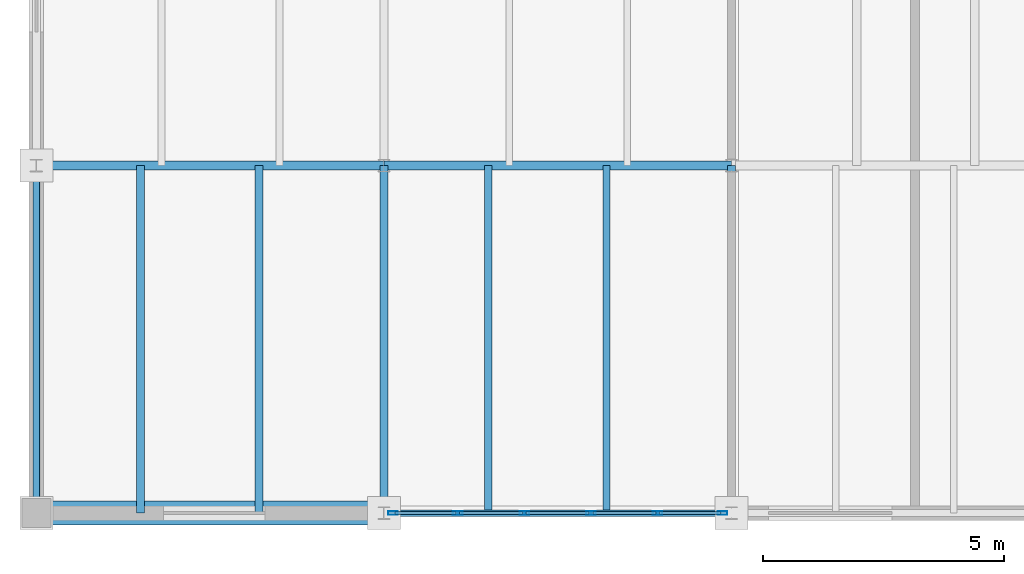
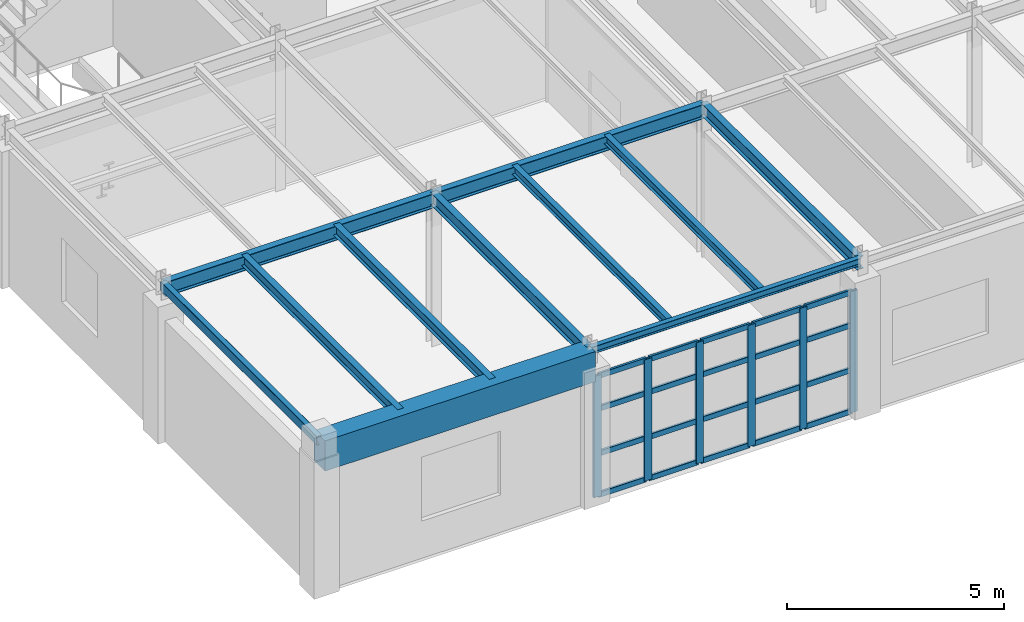
# One storey, part 8 of 36: 26 members, 11 beams, 1 element without a shape of its own.
"""IFC4 building model written with IfcOpenShell, lengths in metres."""

from ifc_helpers import new_model, si_unit, direction, frame, origin, origin_2d, place, context, subcontext, project, spatial, rectangle, hollow_rectangle, i_section, extrude, material, layer, layer_set, material_profile, profile_set, type_object, element, aggregate, save


model = new_model("IFC4")

# Units and contexts
model_context = context("Model", 3, precision=1e-05, world=origin(), true_north=direction((0.0, 1.0)))
body_context = subcontext(model_context, "Body", "Model", "MODEL_VIEW")
ifc_project = project(units=[si_unit("LENGTHUNIT", "METRE"), si_unit("AREAUNIT", "SQUARE_METRE"), si_unit("VOLUMEUNIT", "CUBIC_METRE"), si_unit("PLANEANGLEUNIT", "RADIAN"), si_unit("MASSUNIT", "GRAM", prefix="KILO")], contexts=[model_context])

# Site, building, storey
site_placement = place(None, origin())
site = spatial("IfcSite", under=ifc_project, at=site_placement, CompositionType="ELEMENT")
building_placement = place(site_placement, origin())
building = spatial("IfcBuilding", under=site, at=building_placement, Name="Kemerveld Promenade Tramway Depot", CompositionType="ELEMENT")
storey_placement = place(building_placement, frame((0.0, 0.0, 14.39990234375)))
storey = spatial("IfcBuildingStorey", under=building, at=storey_placement, Name="L03", CompositionType="ELEMENT", Elevation=14.39990234375)

# Beams
ifc_material_1 = material(Name="Steel S355", Category="steel")
ifc_material_profile_1 = material_profile(ifc_material_1, i_section(OverallWidth=0.1787109375, OverallDepth=0.409423828125, WebThickness=0.0087890625, FlangeThickness=0.014404296875, FilletRadius=0.01025390625, at=origin_2d()), Name="406x178x67 UB")
ifc_profile_set_1 = profile_set([ifc_material_profile_1], Name="Steel S355")
beam_type_1 = type_object("IfcBeamType", Name="BM-G07", PredefinedType="BEAM", material=ifc_profile_set_1)
for number, where, z_axis, x_axis, name in (
    (1, (0.0, 7.199951171875, 4.080322265625), (1.0, 0.0, 0.0), (0.0, 1.0, 0.0), "BMX-L03-01-02-B"),
    (2, (7.199951171875, 7.199951171875, 4.080322265625), (1.0, 0.0, 0.0), (0.0, 1.0, 0.0), "BMX-L03-02-03-B"),
):
    element("IfcBeam", number, at=place(storey_placement, frame(where, z_axis=z_axis, x_axis=x_axis)), inside=storey, type_object=beam_type_1, Name=name, PredefinedType="BEAM", context=body_context, shape_type="SweptSolid", body=[
        extrude(i_section(OverallWidth=0.1787109375, OverallDepth=0.409423828125, WebThickness=0.0087890625, FlangeThickness=0.014404296875, FilletRadius=0.01025390625, at=origin_2d()), origin(), (0.0, 0.0, 1.0), 7.199951171875),
    ])
ifc_material_profile_2 = material_profile(ifc_material_1, i_section(OverallWidth=0.172119140625, OverallDepth=0.35791015625, WebThickness=0.008056640625, FlangeThickness=0.012939453125, FilletRadius=0.01025390625, at=origin_2d()), Name="356x171x57 UB")
ifc_profile_set_2 = profile_set([ifc_material_profile_2], Name="Steel S355")
beam_type_2 = type_object("IfcBeamType", Name="BM-G08", PredefinedType="BEAM", material=ifc_profile_set_2)
for number, where, z_axis, x_axis, name in (
    (3, (7.199951171875, 0.0, 4.106201171875), (0.0, 1.0, 0.0), (-1.0, 0.0, 0.0), "BMY-L03-02-A-B"),
    (4, (14.39990234375, 0.0, 4.106201171875), (0.0, 1.0, 0.0), (-1.0, 0.0, 0.0), "BMY-L03-03-A-B"),
):
    element("IfcBeam", number, at=place(storey_placement, frame(where, z_axis=z_axis, x_axis=x_axis)), inside=storey, type_object=beam_type_2, Name=name, PredefinedType="BEAM", context=body_context, shape_type="SweptSolid", body=[
        extrude(i_section(OverallWidth=0.172119140625, OverallDepth=0.35791015625, WebThickness=0.008056640625, FlangeThickness=0.012939453125, FilletRadius=0.01025390625, at=origin_2d()), origin(), (0.0, 0.0, 1.0), 7.199951171875),
    ])
ifc_material_profile_3 = material_profile(ifc_material_1, i_section(OverallWidth=0.13330078125, OverallDepth=0.203125, WebThickness=0.005615234375, FlangeThickness=0.0078125, FilletRadius=0.007568359375, at=origin_2d()), Name="203x133x25 UB")
ifc_profile_set_3 = profile_set([ifc_material_profile_3], Name="Steel S355")
beam_type_3 = type_object("IfcBeamType", Name="BM-G14", PredefinedType="BEAM", material=ifc_profile_set_3)
beam_1_placement = place(storey_placement, frame((7.199951171875, 0.0, 4.18359375), z_axis=(1.0, 0.0, 0.0), x_axis=(0.0, 1.0, 0.0)))
element("IfcBeam", 5, at=beam_1_placement, inside=storey, type_object=beam_type_3, Name="BMX-L03-02-03-A", PredefinedType="BEAM", context=body_context, shape_type="SweptSolid", body=[
    extrude(i_section(OverallWidth=0.13330078125, OverallDepth=0.203125, WebThickness=0.005615234375, FlangeThickness=0.0078125, FilletRadius=0.007568359375, at=origin_2d()), origin(), (0.0, 0.0, 1.0), 7.199951171875),
])
ifc_material_profile_4 = material_profile(ifc_material_1, i_section(OverallWidth=0.165771484375, OverallDepth=0.306640625, WebThickness=0.006591796875, FlangeThickness=0.01171875, FilletRadius=0.0087890625, at=origin_2d()), Name="305x165x46 UB")
ifc_profile_set_4 = profile_set([ifc_material_profile_4], Name="Steel S355")
beam_type_4 = type_object("IfcBeamType", Name="BM-J01", PredefinedType="JOIST", material=ifc_profile_set_4)
for number, where, z_axis, x_axis, name in (
    (6, (2.159912109375, 0.0, 4.1318359375), (0.0, 1.0, 0.0), (-1.0, 0.0, 0.0), "JST-L03-01-A-1"),
    (7, (4.60791015625, 0.0, 4.1318359375), (0.0, 1.0, 0.0), (-1.0, 0.0, 0.0), "JST-L03-01-A-2"),
):
    element("IfcBeam", number, at=place(storey_placement, frame(where, z_axis=z_axis, x_axis=x_axis)), inside=storey, type_object=beam_type_4, Name=name, PredefinedType="JOIST", context=body_context, shape_type="SweptSolid", body=[
        extrude(i_section(OverallWidth=0.165771484375, OverallDepth=0.306640625, WebThickness=0.006591796875, FlangeThickness=0.01171875, FilletRadius=0.0087890625, at=origin_2d()), origin(), (0.0, 0.0, 1.0), 7.199951171875),
    ])
ifc_material_profile_5 = material_profile(ifc_material_1, i_section(OverallWidth=0.146484375, OverallDepth=0.256103515625, WebThickness=0.00634765625, FlangeThickness=0.010986328125, FilletRadius=0.007568359375, at=origin_2d()), Name="254x146x37 UB")
ifc_profile_set_5 = profile_set([ifc_material_profile_5], Name="Steel S355")
beam_type_5 = type_object("IfcBeamType", Name="BM-J02", PredefinedType="JOIST", material=ifc_profile_set_5)
for number, where, z_axis, x_axis, name in (
    (8, (9.360107421875, 0.0, 4.156982421875), (0.0, 1.0, 0.0), (-1.0, 0.0, 0.0), "JST-L03-02-A-1"),
    (9, (11.80810546875, 0.0, 4.156982421875), (0.0, 1.0, 0.0), (-1.0, 0.0, 0.0), "JST-L03-02-A-2"),
):
    element("IfcBeam", number, at=place(storey_placement, frame(where, z_axis=z_axis, x_axis=x_axis)), inside=storey, type_object=beam_type_5, Name=name, PredefinedType="JOIST", context=body_context, shape_type="SweptSolid", body=[
        extrude(i_section(OverallWidth=0.146484375, OverallDepth=0.256103515625, WebThickness=0.00634765625, FlangeThickness=0.010986328125, FilletRadius=0.007568359375, at=origin_2d()), origin(), (0.0, 0.0, 1.0), 7.199951171875),
    ])
ifc_material_2 = material(Name="Concrete C40/50", Category="concrete")
ifc_material_profile_6 = material_profile(ifc_material_2, rectangle(XDim=0.5, YDim=0.85009765625, at=origin_2d()), Name="RC-BM-500x850")
ifc_profile_set_6 = profile_set([ifc_material_profile_6], Name="Concrete C40/50")
beam_type_6 = type_object("IfcBeamType", Name="BM-RC7", PredefinedType="BEAM", material=ifc_profile_set_6)
beam_2_placement = place(storey_placement, frame((0.0, 0.0, 3.860107421875), z_axis=(1.0, 0.0, 0.0), x_axis=(0.0, 1.0, 0.0)))
element("IfcBeam", 10, at=beam_2_placement, inside=storey, type_object=beam_type_6, Name="BMX-L03-01-02-A", PredefinedType="BEAM", context=body_context, shape_type="SweptSolid", body=[
    extrude(rectangle(XDim=0.5, YDim=0.85009765625, at=origin_2d()), origin(), (0.0, 0.0, 1.0), 7.199951171875),
])
ifc_material_profile_7 = material_profile(ifc_material_1, hollow_rectangle(XDim=0.14990234375, YDim=0.25, WallThickness=0.010009765625, InnerFilletRadius=0.0048828125, OuterFilletRadius=0.014892578125, at=origin_2d()), Name="250x150x10.0 RHS")
ifc_profile_set_7 = profile_set([ifc_material_profile_7], Name="Steel S355")
beam_type_7 = type_object("IfcBeamType", Name="BM-SP2", PredefinedType="SPANDREL", material=ifc_profile_set_7)
beam_3_placement = place(storey_placement, frame((0.0, 0.0, 4.16015625), z_axis=(0.0, 1.0, 0.0), x_axis=(-1.0, 0.0, 0.0)))
element("IfcBeam", 11, at=beam_3_placement, inside=storey, type_object=beam_type_7, Name="BMY-L03-01-A-B", PredefinedType="SPANDREL", context=body_context, shape_type="SweptSolid", body=[
    extrude(hollow_rectangle(XDim=0.14990234375, YDim=0.25, WallThickness=0.010009765625, InnerFilletRadius=0.0048828125, OuterFilletRadius=0.014892578125, at=origin_2d()), origin(), (0.0, 0.0, 1.0), 7.199951171875),
])

# Curtain wall, members
ifc_material_3 = material(Name="Bronze anodised aluminium and solar glass", Category="aluminium")
ifc_layer = layer(ifc_material_3, 0.199951171875)
ifc_layer_set = layer_set([ifc_layer], Name="CW-SYS-08")
curtain_wall_type = type_object("IfcCurtainWallType", Name="CW-SYS-08", PredefinedType="USERDEFINED", material=ifc_layer_set)
curtain_wall_placement = place(storey_placement, origin())
curtain_wall = element("IfcCurtainWall", 12, at=curtain_wall_placement, inside=storey, type_object=curtain_wall_type, Name="CW-L03-V5S-05", ObjectType="GLAZED_CURTAIN_WALL", PredefinedType="USERDEFINED")
ifc_material_4 = material(Name="Bronze anodised aluminium", Category="aluminium")
ifc_material_profile_8 = material_profile(ifc_material_4, hollow_rectangle(XDim=0.074951171875, YDim=0.199951171875, WallThickness=0.0048828125, InnerFilletRadius=0.001953125, OuterFilletRadius=0.0048828125, at=origin_2d()), Name="CW-MUL-200x75")
ifc_profile_set_8 = profile_set([ifc_material_profile_8], Name="Bronze anodised aluminium")
member_type_1 = type_object("IfcMemberType", Name="CW-MUL-B", PredefinedType="MULLION", material=ifc_profile_set_8)
member_1_placement = place(storey_placement, frame((14.21240234375, 0.0, 0.0), z_axis=(0.0, 0.0, 1.0), x_axis=(0.0, -1.0, 0.0)))
member_1 = element("IfcMember", 13, at=member_1_placement, type_object=member_type_1, Name="CW08 mullion 1", PredefinedType="MULLION", context=body_context, shape_type="SweptSolid", body=[
    extrude(hollow_rectangle(XDim=0.074951171875, YDim=0.199951171875, WallThickness=0.0048828125, InnerFilletRadius=0.001953125, OuterFilletRadius=0.0048828125, at=origin_2d()), origin(), (0.0, 0.0, 1.0), 3.4150390625),
])
member_2_placement = place(storey_placement, frame((12.869873046875, 0.0, 0.0), z_axis=(0.0, 0.0, 1.0), x_axis=(0.0, -1.0, 0.0)))
member_2 = element("IfcMember", 14, at=member_2_placement, type_object=member_type_1, Name="CW08 mullion 2", PredefinedType="MULLION", context=body_context, shape_type="SweptSolid", body=[
    extrude(hollow_rectangle(XDim=0.074951171875, YDim=0.199951171875, WallThickness=0.0048828125, InnerFilletRadius=0.001953125, OuterFilletRadius=0.0048828125, at=origin_2d()), origin(), (0.0, 0.0, 1.0), 3.4150390625),
])
member_3_placement = place(storey_placement, frame((11.489990234375, 0.0, 0.0), z_axis=(0.0, 0.0, 1.0), x_axis=(0.0, -1.0, 0.0)))
member_3 = element("IfcMember", 15, at=member_3_placement, type_object=member_type_1, Name="CW08 mullion 3", PredefinedType="MULLION", context=body_context, shape_type="SweptSolid", body=[
    extrude(hollow_rectangle(XDim=0.074951171875, YDim=0.199951171875, WallThickness=0.0048828125, InnerFilletRadius=0.001953125, OuterFilletRadius=0.0048828125, at=origin_2d()), origin(), (0.0, 0.0, 1.0), 3.4150390625),
])
member_4_placement = place(storey_placement, frame((10.110107421875, 0.0, 0.0), z_axis=(0.0, 0.0, 1.0), x_axis=(0.0, -1.0, 0.0)))
member_4 = element("IfcMember", 16, at=member_4_placement, type_object=member_type_1, Name="CW08 mullion 4", PredefinedType="MULLION", context=body_context, shape_type="SweptSolid", body=[
    extrude(hollow_rectangle(XDim=0.074951171875, YDim=0.199951171875, WallThickness=0.0048828125, InnerFilletRadius=0.001953125, OuterFilletRadius=0.0048828125, at=origin_2d()), origin(), (0.0, 0.0, 1.0), 3.4150390625),
])
member_5_placement = place(storey_placement, frame((8.730224609375, 0.0, 0.0), z_axis=(0.0, 0.0, 1.0), x_axis=(0.0, -1.0, 0.0)))
member_5 = element("IfcMember", 17, at=member_5_placement, type_object=member_type_1, Name="CW08 mullion 5", PredefinedType="MULLION", context=body_context, shape_type="SweptSolid", body=[
    extrude(hollow_rectangle(XDim=0.074951171875, YDim=0.199951171875, WallThickness=0.0048828125, InnerFilletRadius=0.001953125, OuterFilletRadius=0.0048828125, at=origin_2d()), origin(), (0.0, 0.0, 1.0), 3.4150390625),
])
member_6_placement = place(storey_placement, frame((7.3876953125, 0.0, 0.0), z_axis=(0.0, 0.0, 1.0), x_axis=(0.0, -1.0, 0.0)))
member_6 = element("IfcMember", 18, at=member_6_placement, type_object=member_type_1, Name="CW08 mullion 6", PredefinedType="MULLION", context=body_context, shape_type="SweptSolid", body=[
    extrude(hollow_rectangle(XDim=0.074951171875, YDim=0.199951171875, WallThickness=0.0048828125, InnerFilletRadius=0.001953125, OuterFilletRadius=0.0048828125, at=origin_2d()), origin(), (0.0, 0.0, 1.0), 3.4150390625),
])
ifc_material_profile_9 = material_profile(ifc_material_4, hollow_rectangle(XDim=0.06494140625, YDim=0.14990234375, WallThickness=0.00439453125, InnerFilletRadius=0.001953125, OuterFilletRadius=0.00439453125, at=origin_2d()), Name="CW-TRN-150x65")
ifc_profile_set_9 = profile_set([ifc_material_profile_9], Name="Bronze anodised aluminium")
member_type_2 = type_object("IfcMemberType", Name="CW-TRN-B", PredefinedType="USERDEFINED", material=ifc_profile_set_9)
member_7_placement = place(storey_placement, frame((14.1748046875, 0.0, 0.03271484375), z_axis=(-1.0, 0.0, 0.0), x_axis=(0.0, -1.0, 0.0)))
member_7 = element("IfcMember", 19, at=member_7_placement, type_object=member_type_2, Name="CW08 transom 1.1", ObjectType="TRANSOM", PredefinedType="USERDEFINED", context=body_context, shape_type="SweptSolid", body=[
    extrude(hollow_rectangle(XDim=0.06494140625, YDim=0.14990234375, WallThickness=0.00439453125, InnerFilletRadius=0.001953125, OuterFilletRadius=0.00439453125, at=origin_2d()), origin(), (0.0, 0.0, 1.0), 1.267333984375),
])
member_8_placement = place(storey_placement, frame((14.1748046875, 0.0, 1.195068359375), z_axis=(-1.0, 0.0, 0.0), x_axis=(0.0, -1.0, 0.0)))
member_8 = element("IfcMember", 20, at=member_8_placement, type_object=member_type_2, Name="CW08 transom 1.2", ObjectType="TRANSOM", PredefinedType="USERDEFINED", context=body_context, shape_type="SweptSolid", body=[
    extrude(hollow_rectangle(XDim=0.06494140625, YDim=0.14990234375, WallThickness=0.00439453125, InnerFilletRadius=0.001953125, OuterFilletRadius=0.00439453125, at=origin_2d()), origin(), (0.0, 0.0, 1.0), 1.267333984375),
])
member_9_placement = place(storey_placement, frame((14.1748046875, 0.0, 2.458984375), z_axis=(-1.0, 0.0, 0.0), x_axis=(0.0, -1.0, 0.0)))
member_9 = element("IfcMember", 21, at=member_9_placement, type_object=member_type_2, Name="CW08 transom 1.3", ObjectType="TRANSOM", PredefinedType="USERDEFINED", context=body_context, shape_type="SweptSolid", body=[
    extrude(hollow_rectangle(XDim=0.06494140625, YDim=0.14990234375, WallThickness=0.00439453125, InnerFilletRadius=0.001953125, OuterFilletRadius=0.00439453125, at=origin_2d()), origin(), (0.0, 0.0, 1.0), 1.267333984375),
])
member_10_placement = place(storey_placement, frame((14.1748046875, 0.0, 3.382568359375), z_axis=(-1.0, 0.0, 0.0), x_axis=(0.0, -1.0, 0.0)))
member_10 = element("IfcMember", 22, at=member_10_placement, type_object=member_type_2, Name="CW08 transom 1.4", ObjectType="TRANSOM", PredefinedType="USERDEFINED", context=body_context, shape_type="SweptSolid", body=[
    extrude(hollow_rectangle(XDim=0.06494140625, YDim=0.14990234375, WallThickness=0.00439453125, InnerFilletRadius=0.001953125, OuterFilletRadius=0.00439453125, at=origin_2d()), origin(), (0.0, 0.0, 1.0), 1.267333984375),
])
member_11_placement = place(storey_placement, frame((12.83251953125, 0.0, 0.03271484375), z_axis=(-1.0, 0.0, 0.0), x_axis=(0.0, -1.0, 0.0)))
member_11 = element("IfcMember", 23, at=member_11_placement, type_object=member_type_2, Name="CW08 transom 2.1", ObjectType="TRANSOM", PredefinedType="USERDEFINED", context=body_context, shape_type="SweptSolid", body=[
    extrude(hollow_rectangle(XDim=0.06494140625, YDim=0.14990234375, WallThickness=0.00439453125, InnerFilletRadius=0.001953125, OuterFilletRadius=0.00439453125, at=origin_2d()), origin(), (0.0, 0.0, 1.0), 1.304931640625),
])
member_12_placement = place(storey_placement, frame((12.83251953125, 0.0, 1.195068359375), z_axis=(-1.0, 0.0, 0.0), x_axis=(0.0, -1.0, 0.0)))
member_12 = element("IfcMember", 24, at=member_12_placement, type_object=member_type_2, Name="CW08 transom 2.2", ObjectType="TRANSOM", PredefinedType="USERDEFINED", context=body_context, shape_type="SweptSolid", body=[
    extrude(hollow_rectangle(XDim=0.06494140625, YDim=0.14990234375, WallThickness=0.00439453125, InnerFilletRadius=0.001953125, OuterFilletRadius=0.00439453125, at=origin_2d()), origin(), (0.0, 0.0, 1.0), 1.304931640625),
])
member_13_placement = place(storey_placement, frame((12.83251953125, 0.0, 2.458984375), z_axis=(-1.0, 0.0, 0.0), x_axis=(0.0, -1.0, 0.0)))
member_13 = element("IfcMember", 25, at=member_13_placement, type_object=member_type_2, Name="CW08 transom 2.3", ObjectType="TRANSOM", PredefinedType="USERDEFINED", context=body_context, shape_type="SweptSolid", body=[
    extrude(hollow_rectangle(XDim=0.06494140625, YDim=0.14990234375, WallThickness=0.00439453125, InnerFilletRadius=0.001953125, OuterFilletRadius=0.00439453125, at=origin_2d()), origin(), (0.0, 0.0, 1.0), 1.304931640625),
])
member_14_placement = place(storey_placement, frame((12.83251953125, 0.0, 3.382568359375), z_axis=(-1.0, 0.0, 0.0), x_axis=(0.0, -1.0, 0.0)))
member_14 = element("IfcMember", 26, at=member_14_placement, type_object=member_type_2, Name="CW08 transom 2.4", ObjectType="TRANSOM", PredefinedType="USERDEFINED", context=body_context, shape_type="SweptSolid", body=[
    extrude(hollow_rectangle(XDim=0.06494140625, YDim=0.14990234375, WallThickness=0.00439453125, InnerFilletRadius=0.001953125, OuterFilletRadius=0.00439453125, at=origin_2d()), origin(), (0.0, 0.0, 1.0), 1.304931640625),
])
member_15_placement = place(storey_placement, frame((11.45263671875, 0.0, 0.03271484375), z_axis=(-1.0, 0.0, 0.0), x_axis=(0.0, -1.0, 0.0)))
member_15 = element("IfcMember", 27, at=member_15_placement, type_object=member_type_2, Name="CW08 transom 3.1", ObjectType="TRANSOM", PredefinedType="USERDEFINED", context=body_context, shape_type="SweptSolid", body=[
    extrude(hollow_rectangle(XDim=0.06494140625, YDim=0.14990234375, WallThickness=0.00439453125, InnerFilletRadius=0.001953125, OuterFilletRadius=0.00439453125, at=origin_2d()), origin(), (0.0, 0.0, 1.0), 1.30517578125),
])
member_16_placement = place(storey_placement, frame((11.45263671875, 0.0, 1.195068359375), z_axis=(-1.0, 0.0, 0.0), x_axis=(0.0, -1.0, 0.0)))
member_16 = element("IfcMember", 28, at=member_16_placement, type_object=member_type_2, Name="CW08 transom 3.2", ObjectType="TRANSOM", PredefinedType="USERDEFINED", context=body_context, shape_type="SweptSolid", body=[
    extrude(hollow_rectangle(XDim=0.06494140625, YDim=0.14990234375, WallThickness=0.00439453125, InnerFilletRadius=0.001953125, OuterFilletRadius=0.00439453125, at=origin_2d()), origin(), (0.0, 0.0, 1.0), 1.30517578125),
])
member_17_placement = place(storey_placement, frame((11.45263671875, 0.0, 2.458984375), z_axis=(-1.0, 0.0, 0.0), x_axis=(0.0, -1.0, 0.0)))
member_17 = element("IfcMember", 29, at=member_17_placement, type_object=member_type_2, Name="CW08 transom 3.3", ObjectType="TRANSOM", PredefinedType="USERDEFINED", context=body_context, shape_type="SweptSolid", body=[
    extrude(hollow_rectangle(XDim=0.06494140625, YDim=0.14990234375, WallThickness=0.00439453125, InnerFilletRadius=0.001953125, OuterFilletRadius=0.00439453125, at=origin_2d()), origin(), (0.0, 0.0, 1.0), 1.30517578125),
])
member_18_placement = place(storey_placement, frame((11.45263671875, 0.0, 3.382568359375), z_axis=(-1.0, 0.0, 0.0), x_axis=(0.0, -1.0, 0.0)))
member_18 = element("IfcMember", 30, at=member_18_placement, type_object=member_type_2, Name="CW08 transom 3.4", ObjectType="TRANSOM", PredefinedType="USERDEFINED", context=body_context, shape_type="SweptSolid", body=[
    extrude(hollow_rectangle(XDim=0.06494140625, YDim=0.14990234375, WallThickness=0.00439453125, InnerFilletRadius=0.001953125, OuterFilletRadius=0.00439453125, at=origin_2d()), origin(), (0.0, 0.0, 1.0), 1.30517578125),
])
member_19_placement = place(storey_placement, frame((10.072509765625, 0.0, 0.03271484375), z_axis=(-1.0, 0.0, 0.0), x_axis=(0.0, -1.0, 0.0)))
member_19 = element("IfcMember", 31, at=member_19_placement, type_object=member_type_2, Name="CW08 transom 4.1", ObjectType="TRANSOM", PredefinedType="USERDEFINED", context=body_context, shape_type="SweptSolid", body=[
    extrude(hollow_rectangle(XDim=0.06494140625, YDim=0.14990234375, WallThickness=0.00439453125, InnerFilletRadius=0.001953125, OuterFilletRadius=0.00439453125, at=origin_2d()), origin(), (0.0, 0.0, 1.0), 1.304931640625),
])
member_20_placement = place(storey_placement, frame((10.072509765625, 0.0, 1.195068359375), z_axis=(-1.0, 0.0, 0.0), x_axis=(0.0, -1.0, 0.0)))
member_20 = element("IfcMember", 32, at=member_20_placement, type_object=member_type_2, Name="CW08 transom 4.2", ObjectType="TRANSOM", PredefinedType="USERDEFINED", context=body_context, shape_type="SweptSolid", body=[
    extrude(hollow_rectangle(XDim=0.06494140625, YDim=0.14990234375, WallThickness=0.00439453125, InnerFilletRadius=0.001953125, OuterFilletRadius=0.00439453125, at=origin_2d()), origin(), (0.0, 0.0, 1.0), 1.304931640625),
])
member_21_placement = place(storey_placement, frame((10.072509765625, 0.0, 2.458984375), z_axis=(-1.0, 0.0, 0.0), x_axis=(0.0, -1.0, 0.0)))
member_21 = element("IfcMember", 33, at=member_21_placement, type_object=member_type_2, Name="CW08 transom 4.3", ObjectType="TRANSOM", PredefinedType="USERDEFINED", context=body_context, shape_type="SweptSolid", body=[
    extrude(hollow_rectangle(XDim=0.06494140625, YDim=0.14990234375, WallThickness=0.00439453125, InnerFilletRadius=0.001953125, OuterFilletRadius=0.00439453125, at=origin_2d()), origin(), (0.0, 0.0, 1.0), 1.304931640625),
])
member_22_placement = place(storey_placement, frame((10.072509765625, 0.0, 3.382568359375), z_axis=(-1.0, 0.0, 0.0), x_axis=(0.0, -1.0, 0.0)))
member_22 = element("IfcMember", 34, at=member_22_placement, type_object=member_type_2, Name="CW08 transom 4.4", ObjectType="TRANSOM", PredefinedType="USERDEFINED", context=body_context, shape_type="SweptSolid", body=[
    extrude(hollow_rectangle(XDim=0.06494140625, YDim=0.14990234375, WallThickness=0.00439453125, InnerFilletRadius=0.001953125, OuterFilletRadius=0.00439453125, at=origin_2d()), origin(), (0.0, 0.0, 1.0), 1.304931640625),
])
member_23_placement = place(storey_placement, frame((8.692626953125, 0.0, 0.03271484375), z_axis=(-1.0, 0.0, 0.0), x_axis=(0.0, -1.0, 0.0)))
member_23 = element("IfcMember", 35, at=member_23_placement, type_object=member_type_2, Name="CW08 transom 5.1", ObjectType="TRANSOM", PredefinedType="USERDEFINED", context=body_context, shape_type="SweptSolid", body=[
    extrude(hollow_rectangle(XDim=0.06494140625, YDim=0.14990234375, WallThickness=0.00439453125, InnerFilletRadius=0.001953125, OuterFilletRadius=0.00439453125, at=origin_2d()), origin(), (0.0, 0.0, 1.0), 1.267333984375),
])
member_24_placement = place(storey_placement, frame((8.692626953125, 0.0, 1.195068359375), z_axis=(-1.0, 0.0, 0.0), x_axis=(0.0, -1.0, 0.0)))
member_24 = element("IfcMember", 36, at=member_24_placement, type_object=member_type_2, Name="CW08 transom 5.2", ObjectType="TRANSOM", PredefinedType="USERDEFINED", context=body_context, shape_type="SweptSolid", body=[
    extrude(hollow_rectangle(XDim=0.06494140625, YDim=0.14990234375, WallThickness=0.00439453125, InnerFilletRadius=0.001953125, OuterFilletRadius=0.00439453125, at=origin_2d()), origin(), (0.0, 0.0, 1.0), 1.267333984375),
])
member_25_placement = place(storey_placement, frame((8.692626953125, 0.0, 2.458984375), z_axis=(-1.0, 0.0, 0.0), x_axis=(0.0, -1.0, 0.0)))
member_25 = element("IfcMember", 37, at=member_25_placement, type_object=member_type_2, Name="CW08 transom 5.3", ObjectType="TRANSOM", PredefinedType="USERDEFINED", context=body_context, shape_type="SweptSolid", body=[
    extrude(hollow_rectangle(XDim=0.06494140625, YDim=0.14990234375, WallThickness=0.00439453125, InnerFilletRadius=0.001953125, OuterFilletRadius=0.00439453125, at=origin_2d()), origin(), (0.0, 0.0, 1.0), 1.267333984375),
])
member_26_placement = place(storey_placement, frame((8.692626953125, 0.0, 3.382568359375), z_axis=(-1.0, 0.0, 0.0), x_axis=(0.0, -1.0, 0.0)))
member_26 = element("IfcMember", 38, at=member_26_placement, type_object=member_type_2, Name="CW08 transom 5.4", ObjectType="TRANSOM", PredefinedType="USERDEFINED", context=body_context, shape_type="SweptSolid", body=[
    extrude(hollow_rectangle(XDim=0.06494140625, YDim=0.14990234375, WallThickness=0.00439453125, InnerFilletRadius=0.001953125, OuterFilletRadius=0.00439453125, at=origin_2d()), origin(), (0.0, 0.0, 1.0), 1.267333984375),
])
aggregate(curtain_wall, [member_1, member_2, member_3, member_4, member_5, member_6, member_7, member_8, member_9, member_10, member_11, member_12, member_13, member_14, member_15, member_16, member_17, member_18, member_19, member_20, member_21, member_22, member_23, member_24, member_25, member_26])

save(model, "model.ifc")
